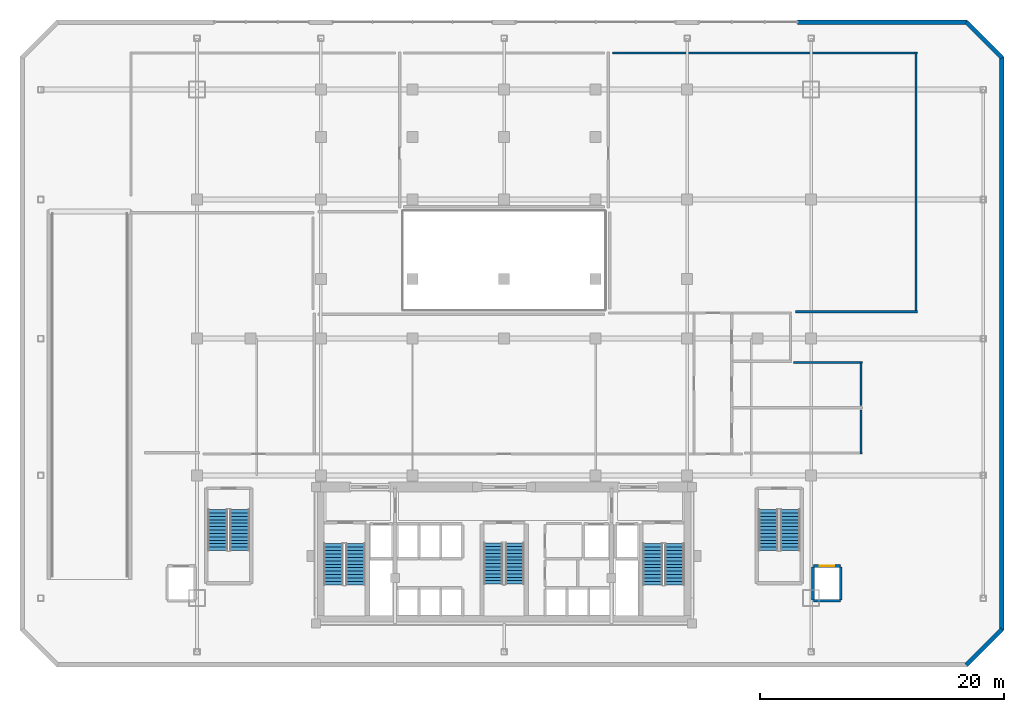
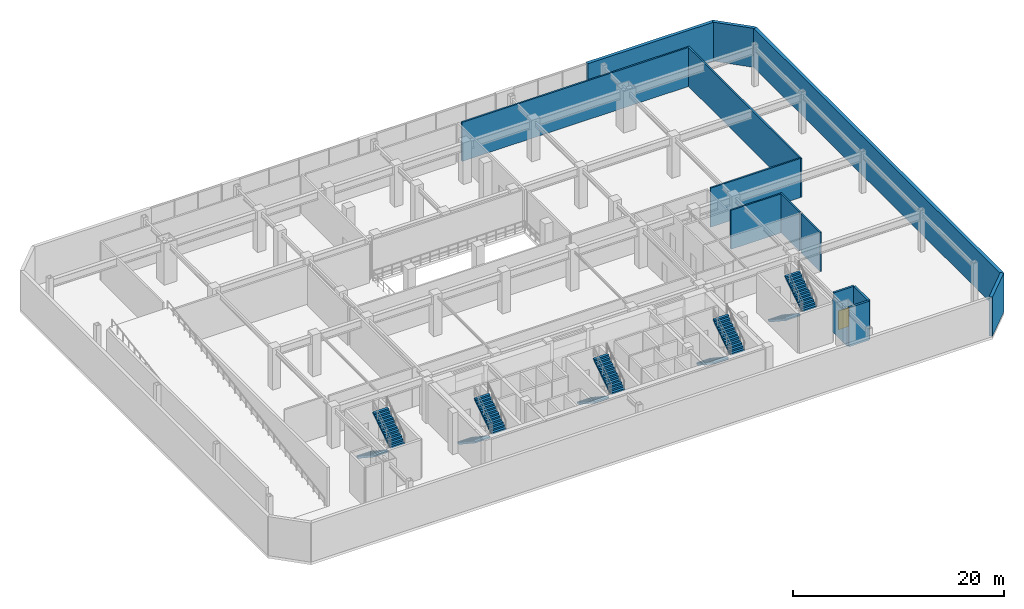
# One storey, part 14 of 16: 14 walls, 10 stair flights, 1 door, 1 opening, 5 elements without a shape of their own.
"""IFC4 building model written with IfcOpenShell, lengths in metres."""

from ifc_helpers import new_model, si_unit, direction, frame, frame_2d, origin, place, context, subcontext, project, spatial, polyline, rectangle, outline, extrude, material, layer, layer_set, type_object, element, fill, aggregate, save


model = new_model("IFC4")

# Units and contexts
model_context = context("Model", 3, precision=1e-05, world=origin(), true_north=direction((0.0, 1.0)))
body_context = subcontext(model_context, "Body", "Model", "MODEL_VIEW")
ifc_project = project(units=[si_unit("LENGTHUNIT", "METRE"), si_unit("AREAUNIT", "SQUARE_METRE"), si_unit("VOLUMEUNIT", "CUBIC_METRE"), si_unit("PLANEANGLEUNIT", "RADIAN"), si_unit("MASSUNIT", "GRAM", prefix="KILO")], contexts=[model_context])

# Site, building, storey
site_placement = place(None, origin())
site = spatial("IfcSite", under=ifc_project, at=site_placement, CompositionType="ELEMENT")
building_placement = place(site_placement, origin())
building = spatial("IfcBuilding", under=site, at=building_placement, Name="Ventersveld Concourse Tower", CompositionType="ELEMENT")
storey_placement = place(building_placement, frame((0.0, 0.0, 10.199951171875)))
storey = spatial("IfcBuildingStorey", under=building, at=storey_placement, Name="L02", CompositionType="ELEMENT", Elevation=10.199951171875)

# Walls
ifc_material_1 = material(Name="Fire-rated autoclaved aerated masonry blockwork", Category="masonry")
ifc_layer_1 = layer(ifc_material_1, 0.179931640625)
ifc_layer_set_1 = layer_set([ifc_layer_1], Name="Fire-rated autoclaved aerated masonry blockwork")
wall_type_1 = type_object("IfcWallType", Name="WL-CORR-180", PredefinedType="PARTITIONING", material=ifc_layer_set_1)
wall_1_placement = place(storey_placement, frame((52.607421875, 25.800048828125, 0.0), z_axis=(0.0, 0.0, 1.0), x_axis=(1.0, 0.0, 0.0)))
element("IfcWall", 1, at=wall_1_placement, inside=storey, type_object=wall_type_1, Name="L02 Room Enclosure Wall SP-L02-OFF3", PredefinedType="PARTITIONING", context=body_context, shape_type="SweptSolid", body=[
    extrude(rectangle(XDim=9.987548828125, YDim=0.179931640625, at=frame_2d((4.99365234375, 0.0))), origin(), (0.0, 0.0, 1.0), 4.52001953125),
])
wall_2_placement = place(storey_placement, frame((62.5, 25.705078125, 0.0), z_axis=(0.0, 0.0, 1.0), x_axis=(0.0, 1.0, 0.0)))
element("IfcWall", 2, at=wall_2_placement, inside=storey, type_object=wall_type_1, Name="L02 Room Enclosure Wall SP-L02-OFF3", PredefinedType="PARTITIONING", context=body_context, shape_type="SweptSolid", body=[
    extrude(rectangle(XDim=21.389892578125, YDim=0.179931640625, at=frame_2d((10.69482421875, 0.0))), origin(), (0.0, 0.0, 1.0), 4.52001953125),
])
wall_3_placement = place(storey_placement, frame((62.594970703125, 47.0, 0.0), z_axis=(0.0, 0.0, 1.0), x_axis=(-1.0, 0.0, 0.0)))
element("IfcWall", 3, at=wall_3_placement, inside=storey, type_object=wall_type_1, Name="L02 Room Enclosure Wall SP-L02-OFF3", PredefinedType="PARTITIONING", context=body_context, shape_type="SweptSolid", body=[
    extrude(rectangle(XDim=24.969970703125, YDim=0.179931640625, at=frame_2d((12.48486328125, 0.0))), origin(), (0.0, 0.0, 1.0), 4.52001953125),
])
ifc_layer_2 = layer(ifc_material_1, 0.219970703125)
ifc_layer_set_2 = layer_set([ifc_layer_2], Name="Fire-rated autoclaved aerated masonry blockwork")
wall_type_2 = type_object("IfcWallType", Name="WL-HOIST-220", PredefinedType="SOLIDWALL", material=ifc_layer_set_2)
wall_4_placement = place(storey_placement, frame((54.10009765625, 2.139892578125, 0.0), z_axis=(0.0, 0.0, 1.0), x_axis=(1.0, 0.0, 0.0)))
element("IfcWall", 4, at=wall_4_placement, inside=storey, type_object=wall_type_2, Name="L02 Lift Hoistway Back Wall SL-02", PredefinedType="SOLIDWALL", context=body_context, shape_type="SweptSolid", body=[
    extrude(rectangle(XDim=2.199951171875, YDim=0.219970703125, at=frame_2d((1.10009765625, 0.0))), origin(), (0.0, 0.0, 1.0), 4.52001953125),
])
wall_5_placement = place(storey_placement, frame((54.06005859375, 2.199951171875, 0.0), z_axis=(0.0, 0.0, 1.0), x_axis=(0.0, 1.0, 0.0)))
element("IfcWall", 5, at=wall_5_placement, inside=storey, type_object=wall_type_2, Name="L02 Lift Hoistway Side Wall SL-02W", PredefinedType="SOLIDWALL", context=body_context, shape_type="SweptSolid", body=[
    extrude(rectangle(XDim=2.699951171875, YDim=0.219970703125, at=frame_2d((1.35009765625, 0.0))), origin(), (0.0, 0.0, 1.0), 3.987060546875),
])
wall_6_placement = place(storey_placement, frame((56.340087890625, 2.199951171875, 0.0), z_axis=(0.0, 0.0, 1.0), x_axis=(0.0, 1.0, 0.0)))
element("IfcWall", 6, at=wall_6_placement, inside=storey, type_object=wall_type_2, Name="L02 Lift Hoistway Side Wall SL-02E", PredefinedType="SOLIDWALL", context=body_context, shape_type="SweptSolid", body=[
    extrude(rectangle(XDim=2.699951171875, YDim=0.219970703125, at=frame_2d((1.35009765625, 0.0))), origin(), (0.0, 0.0, 1.0), 4.52001953125),
])

# Wall, opening, door
wall_7_placement = place(storey_placement, frame((54.080078125, 4.97998046875, 0.0), z_axis=(0.0, 0.0, 1.0), x_axis=(1.0, 0.0, 0.0)))
wall_7 = element("IfcWall", 7, at=wall_7_placement, inside=storey, type_object=wall_type_2, Name="L02 Lift Hoistway Front Wall SL-02", PredefinedType="SOLIDWALL", context=body_context, shape_type="SweptSolid", body=[
    extrude(rectangle(XDim=2.239990234375, YDim=0.219970703125, at=frame_2d((1.1201171875, 0.0))), origin(), (0.0, 0.0, 1.0), 4.52001953125),
])
opening_placement = place(wall_7_placement, frame((0.530029296875, 0.0, 0.0)))
opening = element("IfcOpeningElement", 8, at=opening_placement, cuts=wall_7, Name="Opening LD2", PredefinedType="OPENING", context=body_context, shape_type="SweptSolid", body=[
    extrude(rectangle(XDim=1.179931640625, YDim=2.199951171875, at=frame_2d((0.58984375, 1.10009765625))), frame((0.0, 0.1201171875, 0.0), z_axis=(0.0, -1.0, 0.0), x_axis=(1.0, 0.0, 0.0)), (0.0, 0.0, 1.0), 0.239990234375),
])
ifc_material_2 = material(Name="Brushed stainless steel 316", Category="steel")
door_type = type_object("IfcDoorType", Name="LD-PAX-118", OperationType="SLIDING_TO_LEFT", PredefinedType="DOOR", material=ifc_material_2)
door_placement = place(opening_placement, origin())
door = element("IfcDoor", 9, at=door_placement, inside=storey, type_object=door_type, Name="L02 Lift landing door SL-02 (LD-L02-SL-02)", OperationType="SLIDING_TO_RIGHT", OverallHeight=2.199951171875, OverallWidth=1.179931640625, PredefinedType="DOOR", context=body_context, shape_type="SweptSolid", body=[
    extrude(rectangle(XDim=1.179931640625, YDim=2.199951171875, at=frame_2d((0.58984375, 1.10009765625))), frame((0.0, 0.02490234375, 0.0), z_axis=(0.0, -1.0, 0.0), x_axis=(1.0, 0.0, 0.0)), (0.0, 0.0, 1.0), 0.050048828125),
])
fill(opening, door)

# Walls
ifc_material_3 = material(Name="Precast concrete C45/55", Category="concrete")
ifc_layer_3 = layer(ifc_material_3, 0.35009765625)
ifc_layer_set_3 = layer_set([ifc_layer_3], Name="Precast concrete C45/55")
wall_type_3 = type_object("IfcWallType", Name="WL-PREC-350", PredefinedType="SOLIDWALL", material=ifc_layer_set_3)
wall_8_placement = place(storey_placement, frame((66.60107421875, -3.144287109375, 0.0), z_axis=(0.0, 0.0, 1.0), x_axis=(0.707106781187, 0.707106781187, 0.0)))
element("IfcWall", 10, at=wall_8_placement, inside=storey, type_object=wall_type_3, Name="L02 Podium Precast Perimeter Wall 02", PredefinedType="SOLIDWALL", context=body_context, shape_type="SweptSolid", body=[
    extrude(rectangle(XDim=4.16259765625, YDim=0.35009765625, at=frame_2d((2.081298828125, 0.0))), origin(), (0.0, 0.0, 1.0), 4.52001953125),
])
wall_9_placement = place(storey_placement, frame((69.52001953125, -0.260009765625, 0.0), z_axis=(0.0, 0.0, 1.0), x_axis=(0.0, 1.0, 0.0)))
element("IfcWall", 11, at=wall_9_placement, inside=storey, type_object=wall_type_3, Name="L02 Podium Precast Perimeter Wall 03", PredefinedType="SOLIDWALL", context=body_context, shape_type="SweptSolid", body=[
    extrude(rectangle(XDim=46.919921875, YDim=0.35009765625, at=frame_2d((23.4599609375, 0.0))), origin(), (0.0, 0.0, 1.0), 4.52001953125),
])
wall_10_placement = place(storey_placement, frame((69.54443359375, 46.60107421875, 0.0), z_axis=(0.0, 0.0, 1.0), x_axis=(-0.707106781187, 0.707106781187, 0.0)))
element("IfcWall", 12, at=wall_10_placement, inside=storey, type_object=wall_type_3, Name="L02 Podium Precast Perimeter Wall 04", PredefinedType="SOLIDWALL", context=body_context, shape_type="SweptSolid", body=[
    extrude(rectangle(XDim=4.16259765625, YDim=0.35009765625, at=frame_2d((2.081298828125, 0.0))), origin(), (0.0, 0.0, 1.0), 4.52001953125),
])
wall_11_placement = place(storey_placement, frame((52.800048828125, 49.52001953125, 0.0), z_axis=(0.0, 0.0, 1.0), x_axis=(1.0, 0.0, 0.0)))
element("IfcWall", 13, at=wall_11_placement, inside=storey, type_object=wall_type_3, Name="L02 North Precast Pier NE", PredefinedType="SOLIDWALL", context=body_context, shape_type="SweptSolid", body=[
    extrude(rectangle(XDim=13.85986328125, YDim=0.35009765625, at=frame_2d((6.929931640625, 0.0))), origin(), (0.0, 0.0, 1.0), 4.52001953125),
])
ifc_material_4 = material(Name="Autoclaved aerated masonry blockwork", Category="masonry")
ifc_layer_4 = layer(ifc_material_4, 0.1650390625)
ifc_layer_set_4 = layer_set([ifc_layer_4], Name="Autoclaved aerated masonry blockwork")
wall_type_4 = type_object("IfcWallType", Name="WL-WET-165", PredefinedType="PLUMBINGWALL", material=ifc_layer_set_4)
wall_12_placement = place(storey_placement, frame((58.0, 14.155029296875, 0.0), z_axis=(0.0, 0.0, 1.0), x_axis=(0.0, 1.0, 0.0)))
element("IfcWall", 14, at=wall_12_placement, inside=storey, type_object=wall_type_4, Name="L02 Room Enclosure Wall SP-L02-MWC", PredefinedType="PLUMBINGWALL", context=body_context, shape_type="SweptSolid", body=[
    extrude(rectangle(XDim=3.619873046875, YDim=0.1650390625, at=frame_2d((1.81005859375, 0.0))), origin(), (0.0, 0.0, 1.0), 4.52001953125),
])
wall_13_placement = place(storey_placement, frame((58.0, 18.10498046875, 0.0), z_axis=(0.0, 0.0, 1.0), x_axis=(0.0, 1.0, 0.0)))
element("IfcWall", 15, at=wall_13_placement, inside=storey, type_object=wall_type_4, Name="L02 Room Enclosure Wall SP-L02-FWC", PredefinedType="PLUMBINGWALL", context=body_context, shape_type="SweptSolid", body=[
    extrude(rectangle(XDim=3.64013671875, YDim=0.1650390625, at=frame_2d((1.820068359375, 0.0))), origin(), (0.0, 0.0, 1.0), 4.52001953125),
])
wall_14_placement = place(storey_placement, frame((58.094970703125, 21.64990234375, 0.0), z_axis=(0.0, 0.0, 1.0), x_axis=(-1.0, 0.0, 0.0)))
element("IfcWall", 16, at=wall_14_placement, inside=storey, type_object=wall_type_4, Name="L02 Room Enclosure Wall SP-L02-FWC", PredefinedType="PLUMBINGWALL", context=body_context, shape_type="SweptSolid", body=[
    extrude(rectangle(XDim=5.6513671875, YDim=0.1650390625, at=frame_2d((2.82568359375, 0.0))), origin(), (0.0, 0.0, 1.0), 4.52001953125),
])

# Stair, stair flights
ifc_material_5 = material(Name="Concrete C50/60", Category="concrete")
stair_type_1 = type_object("IfcStairType", Name="ST-DOG-155", PredefinedType="HALF_TURN_STAIR", material=ifc_material_5)
stair_1_placement = place(storey_placement, origin())
stair_1 = element("IfcStair", 17, at=stair_1_placement, inside=storey, type_object=stair_type_1, Name="L02 Protected Central Core Escape Stair ST-03", PredefinedType="HALF_TURN_STAIR")
stair_flight_type_1 = type_object("IfcStairFlightType", Name="STF-RC-155", PredefinedType="STRAIGHT", material=ifc_material_5)
stair_flight_1_placement = place(storey_placement, frame((27.875, 6.85009765625, 0.0), z_axis=(0.0, 0.0, 1.0), x_axis=(0.0, -1.0, 0.0)))
stair_flight_1 = element("IfcStairFlight", 18, at=stair_flight_1_placement, type_object=stair_flight_type_1, Name="ST-03 flight 1", NumberOfRisers=13, NumberOfTreads=12, PredefinedType="STRAIGHT", RiserHeight=0.184615385, TreadLength=0.28, context=body_context, shape_type="SweptSolid", body=[
    extrude(outline(polyline([(0.0, 0.0), (0.0, 0.1845703125), (0.280029296875, 0.1845703125), (0.280029296875, 0.369140625), (0.56005859375, 0.369140625), (0.56005859375, 0.553955078125), (0.840087890625, 0.553955078125), (0.840087890625, 0.738525390625), (1.1201171875, 0.738525390625), (1.1201171875, 0.923095703125), (1.39990234375, 0.923095703125), (1.39990234375, 1.107666015625), (1.679931640625, 1.107666015625), (1.679931640625, 1.292236328125), (1.9599609375, 1.292236328125), (1.9599609375, 1.476806640625), (2.239990234375, 1.476806640625), (2.239990234375, 1.66162109375), (2.52001953125, 1.66162109375), (2.52001953125, 1.84619140625), (2.800048828125, 1.84619140625), (2.800048828125, 2.03076171875), (3.080078125, 2.03076171875), (3.080078125, 2.21533203125), (3.360107421875, 2.21533203125), (3.360107421875, 2.39990234375), (3.360107421875, 2.035888671875), (0.272216796875, 0.0), (0.0, 0.0)])), frame((0.0, 0.77490234375, 0.0), z_axis=(0.0, -1.0, 0.0), x_axis=(1.0, 0.0, 0.0)), (0.0, 0.0, 1.0), 1.550048828125),
])
stair_flight_2_placement = place(storey_placement, frame((29.625, 3.489990234375, 2.400146484375), z_axis=(0.0, 0.0, 1.0), x_axis=(0.0, 1.0, 0.0)))
stair_flight_2 = element("IfcStairFlight", 19, at=stair_flight_2_placement, type_object=stair_flight_type_1, Name="ST-03 flight 2", NumberOfRisers=13, NumberOfTreads=12, PredefinedType="STRAIGHT", RiserHeight=0.184615385, TreadLength=0.28, context=body_context, shape_type="SweptSolid", body=[
    extrude(outline(polyline([(0.0, 0.0), (0.0, 0.1845703125), (0.280029296875, 0.1845703125), (0.280029296875, 0.369140625), (0.56005859375, 0.369140625), (0.56005859375, 0.553955078125), (0.840087890625, 0.553955078125), (0.840087890625, 0.738525390625), (1.1201171875, 0.738525390625), (1.1201171875, 0.923095703125), (1.39990234375, 0.923095703125), (1.39990234375, 1.107666015625), (1.679931640625, 1.107666015625), (1.679931640625, 1.292236328125), (1.9599609375, 1.292236328125), (1.9599609375, 1.476806640625), (2.239990234375, 1.476806640625), (2.239990234375, 1.66162109375), (2.52001953125, 1.66162109375), (2.52001953125, 1.84619140625), (2.800048828125, 1.84619140625), (2.800048828125, 2.03076171875), (3.080078125, 2.03076171875), (3.080078125, 2.21533203125), (3.360107421875, 2.21533203125), (3.360107421875, 2.39990234375), (3.360107421875, 2.035888671875), (0.272216796875, 0.0), (0.0, 0.0)])), frame((0.0, 0.77490234375, 0.0), z_axis=(0.0, -1.0, 0.0), x_axis=(1.0, 0.0, 0.0)), (0.0, 0.0, 1.0), 1.550048828125),
])
aggregate(stair_1, [stair_flight_1, stair_flight_2])

stair_type_2 = type_object("IfcStairType", Name="ST-DOG-160", PredefinedType="HALF_TURN_STAIR", material=ifc_material_5)
stair_2_placement = place(storey_placement, origin())
stair_2 = element("IfcStair", 20, at=stair_2_placement, inside=storey, type_object=stair_type_2, Name="L02 Protected Tower Escape Stair ST-01", PredefinedType="HALF_TURN_STAIR")
stair_flight_type_2 = type_object("IfcStairFlightType", Name="STF-RC-160", PredefinedType="STRAIGHT", material=ifc_material_5)
stair_flight_3_placement = place(storey_placement, frame((14.780029296875, 6.800048828125, 0.0), z_axis=(0.0, 0.0, 1.0), x_axis=(0.0, -1.0, 0.0)))
stair_flight_3 = element("IfcStairFlight", 21, at=stair_flight_3_placement, type_object=stair_flight_type_2, Name="ST-01 flight 1", NumberOfRisers=13, NumberOfTreads=12, PredefinedType="STRAIGHT", RiserHeight=0.184615385, TreadLength=0.28, context=body_context, shape_type="SweptSolid", body=[
    extrude(outline(polyline([(0.0, 0.0), (0.0, 0.1845703125), (0.280029296875, 0.1845703125), (0.280029296875, 0.369140625), (0.56005859375, 0.369140625), (0.56005859375, 0.553955078125), (0.840087890625, 0.553955078125), (0.840087890625, 0.738525390625), (1.1201171875, 0.738525390625), (1.1201171875, 0.923095703125), (1.39990234375, 0.923095703125), (1.39990234375, 1.107666015625), (1.679931640625, 1.107666015625), (1.679931640625, 1.292236328125), (1.9599609375, 1.292236328125), (1.9599609375, 1.476806640625), (2.239990234375, 1.476806640625), (2.239990234375, 1.66162109375), (2.52001953125, 1.66162109375), (2.52001953125, 1.84619140625), (2.800048828125, 1.84619140625), (2.800048828125, 2.03076171875), (3.080078125, 2.03076171875), (3.080078125, 2.21533203125), (3.360107421875, 2.21533203125), (3.360107421875, 2.39990234375), (3.360107421875, 2.035888671875), (0.272216796875, 0.0), (0.0, 0.0)])), frame((0.0, 0.800048828125, 0.0), z_axis=(0.0, -1.0, 0.0), x_axis=(1.0, 0.0, 0.0)), (0.0, 0.0, 1.0), 1.60009765625),
])
stair_flight_4_placement = place(storey_placement, frame((16.580078125, 3.43994140625, 2.400146484375), z_axis=(0.0, 0.0, 1.0), x_axis=(0.0, 1.0, 0.0)))
stair_flight_4 = element("IfcStairFlight", 22, at=stair_flight_4_placement, type_object=stair_flight_type_2, Name="ST-01 flight 2", NumberOfRisers=13, NumberOfTreads=12, PredefinedType="STRAIGHT", RiserHeight=0.184615385, TreadLength=0.28, context=body_context, shape_type="SweptSolid", body=[
    extrude(outline(polyline([(0.0, 0.0), (0.0, 0.1845703125), (0.280029296875, 0.1845703125), (0.280029296875, 0.369140625), (0.56005859375, 0.369140625), (0.56005859375, 0.553955078125), (0.840087890625, 0.553955078125), (0.840087890625, 0.738525390625), (1.1201171875, 0.738525390625), (1.1201171875, 0.923095703125), (1.39990234375, 0.923095703125), (1.39990234375, 1.107666015625), (1.679931640625, 1.107666015625), (1.679931640625, 1.292236328125), (1.9599609375, 1.292236328125), (1.9599609375, 1.476806640625), (2.239990234375, 1.476806640625), (2.239990234375, 1.66162109375), (2.52001953125, 1.66162109375), (2.52001953125, 1.84619140625), (2.800048828125, 1.84619140625), (2.800048828125, 2.03076171875), (3.080078125, 2.03076171875), (3.080078125, 2.21533203125), (3.360107421875, 2.21533203125), (3.360107421875, 2.39990234375), (3.360107421875, 2.035888671875), (0.272216796875, 0.0), (0.0, 0.0)])), frame((0.0, 0.800048828125, 0.0), z_axis=(0.0, -1.0, 0.0), x_axis=(1.0, 0.0, 0.0)), (0.0, 0.0, 1.0), 1.60009765625),
])
aggregate(stair_2, [stair_flight_3, stair_flight_4])

stair_3_placement = place(storey_placement, origin())
stair_3 = element("IfcStair", 23, at=stair_3_placement, inside=storey, type_object=stair_type_2, Name="L02 Protected Tower Escape Stair ST-02", PredefinedType="HALF_TURN_STAIR")
stair_flight_5_placement = place(storey_placement, frame((40.919921875, 6.800048828125, 0.0), z_axis=(0.0, 0.0, 1.0), x_axis=(0.0, -1.0, 0.0)))
stair_flight_5 = element("IfcStairFlight", 24, at=stair_flight_5_placement, type_object=stair_flight_type_2, Name="ST-02 flight 1", NumberOfRisers=13, NumberOfTreads=12, PredefinedType="STRAIGHT", RiserHeight=0.184615385, TreadLength=0.28, context=body_context, shape_type="SweptSolid", body=[
    extrude(outline(polyline([(0.0, 0.0), (0.0, 0.1845703125), (0.280029296875, 0.1845703125), (0.280029296875, 0.369140625), (0.56005859375, 0.369140625), (0.56005859375, 0.553955078125), (0.840087890625, 0.553955078125), (0.840087890625, 0.738525390625), (1.1201171875, 0.738525390625), (1.1201171875, 0.923095703125), (1.39990234375, 0.923095703125), (1.39990234375, 1.107666015625), (1.679931640625, 1.107666015625), (1.679931640625, 1.292236328125), (1.9599609375, 1.292236328125), (1.9599609375, 1.476806640625), (2.239990234375, 1.476806640625), (2.239990234375, 1.66162109375), (2.52001953125, 1.66162109375), (2.52001953125, 1.84619140625), (2.800048828125, 1.84619140625), (2.800048828125, 2.03076171875), (3.080078125, 2.03076171875), (3.080078125, 2.21533203125), (3.360107421875, 2.21533203125), (3.360107421875, 2.39990234375), (3.360107421875, 2.035888671875), (0.272216796875, 0.0), (0.0, 0.0)])), frame((0.0, 0.800048828125, 0.0), z_axis=(0.0, -1.0, 0.0), x_axis=(1.0, 0.0, 0.0)), (0.0, 0.0, 1.0), 1.60009765625),
])
stair_flight_6_placement = place(storey_placement, frame((42.719970703125, 3.43994140625, 2.400146484375), z_axis=(0.0, 0.0, 1.0), x_axis=(0.0, 1.0, 0.0)))
stair_flight_6 = element("IfcStairFlight", 25, at=stair_flight_6_placement, type_object=stair_flight_type_2, Name="ST-02 flight 2", NumberOfRisers=13, NumberOfTreads=12, PredefinedType="STRAIGHT", RiserHeight=0.184615385, TreadLength=0.28, context=body_context, shape_type="SweptSolid", body=[
    extrude(outline(polyline([(0.0, 0.0), (0.0, 0.1845703125), (0.280029296875, 0.1845703125), (0.280029296875, 0.369140625), (0.56005859375, 0.369140625), (0.56005859375, 0.553955078125), (0.840087890625, 0.553955078125), (0.840087890625, 0.738525390625), (1.1201171875, 0.738525390625), (1.1201171875, 0.923095703125), (1.39990234375, 0.923095703125), (1.39990234375, 1.107666015625), (1.679931640625, 1.107666015625), (1.679931640625, 1.292236328125), (1.9599609375, 1.292236328125), (1.9599609375, 1.476806640625), (2.239990234375, 1.476806640625), (2.239990234375, 1.66162109375), (2.52001953125, 1.66162109375), (2.52001953125, 1.84619140625), (2.800048828125, 1.84619140625), (2.800048828125, 2.03076171875), (3.080078125, 2.03076171875), (3.080078125, 2.21533203125), (3.360107421875, 2.21533203125), (3.360107421875, 2.39990234375), (3.360107421875, 2.035888671875), (0.272216796875, 0.0), (0.0, 0.0)])), frame((0.0, 0.800048828125, 0.0), z_axis=(0.0, -1.0, 0.0), x_axis=(1.0, 0.0, 0.0)), (0.0, 0.0, 1.0), 1.60009765625),
])
aggregate(stair_3, [stair_flight_5, stair_flight_6])

stair_4_placement = place(storey_placement, origin())
stair_4 = element("IfcStair", 26, at=stair_4_placement, inside=storey, type_object=stair_type_2, Name="L02 Station Concourse West Escape Stair ST-04", PredefinedType="HALF_TURN_STAIR")
stair_flight_7_placement = place(storey_placement, frame((5.300048828125, 9.60009765625, 0.0), z_axis=(0.0, 0.0, 1.0), x_axis=(0.0, -1.0, 0.0)))
stair_flight_7 = element("IfcStairFlight", 27, at=stair_flight_7_placement, type_object=stair_flight_type_2, Name="ST-04 flight 1", NumberOfRisers=13, NumberOfTreads=12, PredefinedType="STRAIGHT", RiserHeight=0.184615385, TreadLength=0.28, context=body_context, shape_type="SweptSolid", body=[
    extrude(outline(polyline([(0.0, 0.0), (0.0, 0.1845703125), (0.280029296875, 0.1845703125), (0.280029296875, 0.369140625), (0.56005859375, 0.369140625), (0.56005859375, 0.553955078125), (0.840087890625, 0.553955078125), (0.840087890625, 0.738525390625), (1.1201171875, 0.738525390625), (1.1201171875, 0.923095703125), (1.39990234375, 0.923095703125), (1.39990234375, 1.107666015625), (1.679931640625, 1.107666015625), (1.679931640625, 1.292236328125), (1.9599609375, 1.292236328125), (1.9599609375, 1.476806640625), (2.239990234375, 1.476806640625), (2.239990234375, 1.66162109375), (2.52001953125, 1.66162109375), (2.52001953125, 1.84619140625), (2.800048828125, 1.84619140625), (2.800048828125, 2.03076171875), (3.080078125, 2.03076171875), (3.080078125, 2.21533203125), (3.360107421875, 2.21533203125), (3.360107421875, 2.39990234375), (3.360107421875, 2.035888671875), (0.272216796875, 0.0), (0.0, 0.0)])), frame((0.0, 0.800048828125, 0.0), z_axis=(0.0, -1.0, 0.0), x_axis=(1.0, 0.0, 0.0)), (0.0, 0.0, 1.0), 1.60009765625),
])
stair_flight_8_placement = place(storey_placement, frame((7.10009765625, 6.239990234375, 2.400146484375), z_axis=(0.0, 0.0, 1.0), x_axis=(0.0, 1.0, 0.0)))
stair_flight_8 = element("IfcStairFlight", 28, at=stair_flight_8_placement, type_object=stair_flight_type_2, Name="ST-04 flight 2", NumberOfRisers=13, NumberOfTreads=12, PredefinedType="STRAIGHT", RiserHeight=0.184615385, TreadLength=0.28, context=body_context, shape_type="SweptSolid", body=[
    extrude(outline(polyline([(0.0, 0.0), (0.0, 0.1845703125), (0.280029296875, 0.1845703125), (0.280029296875, 0.369140625), (0.56005859375, 0.369140625), (0.56005859375, 0.553955078125), (0.840087890625, 0.553955078125), (0.840087890625, 0.738525390625), (1.1201171875, 0.738525390625), (1.1201171875, 0.923095703125), (1.39990234375, 0.923095703125), (1.39990234375, 1.107666015625), (1.679931640625, 1.107666015625), (1.679931640625, 1.292236328125), (1.9599609375, 1.292236328125), (1.9599609375, 1.476806640625), (2.239990234375, 1.476806640625), (2.239990234375, 1.66162109375), (2.52001953125, 1.66162109375), (2.52001953125, 1.84619140625), (2.800048828125, 1.84619140625), (2.800048828125, 2.03076171875), (3.080078125, 2.03076171875), (3.080078125, 2.21533203125), (3.360107421875, 2.21533203125), (3.360107421875, 2.39990234375), (3.360107421875, 2.035888671875), (0.272216796875, 0.0), (0.0, 0.0)])), frame((0.0, 0.800048828125, 0.0), z_axis=(0.0, -1.0, 0.0), x_axis=(1.0, 0.0, 0.0)), (0.0, 0.0, 1.0), 1.60009765625),
])
aggregate(stair_4, [stair_flight_7, stair_flight_8])

stair_5_placement = place(storey_placement, origin())
stair_5 = element("IfcStair", 29, at=stair_5_placement, inside=storey, type_object=stair_type_2, Name="L02 Station Concourse East Escape Stair ST-05", PredefinedType="HALF_TURN_STAIR")
stair_flight_9_placement = place(storey_placement, frame((50.39990234375, 9.60009765625, 0.0), z_axis=(0.0, 0.0, 1.0), x_axis=(0.0, -1.0, 0.0)))
stair_flight_9 = element("IfcStairFlight", 30, at=stair_flight_9_placement, type_object=stair_flight_type_2, Name="ST-05 flight 1", NumberOfRisers=13, NumberOfTreads=12, PredefinedType="STRAIGHT", RiserHeight=0.184615385, TreadLength=0.28, context=body_context, shape_type="SweptSolid", body=[
    extrude(outline(polyline([(0.0, 0.0), (0.0, 0.1845703125), (0.280029296875, 0.1845703125), (0.280029296875, 0.369140625), (0.56005859375, 0.369140625), (0.56005859375, 0.553955078125), (0.840087890625, 0.553955078125), (0.840087890625, 0.738525390625), (1.1201171875, 0.738525390625), (1.1201171875, 0.923095703125), (1.39990234375, 0.923095703125), (1.39990234375, 1.107666015625), (1.679931640625, 1.107666015625), (1.679931640625, 1.292236328125), (1.9599609375, 1.292236328125), (1.9599609375, 1.476806640625), (2.239990234375, 1.476806640625), (2.239990234375, 1.66162109375), (2.52001953125, 1.66162109375), (2.52001953125, 1.84619140625), (2.800048828125, 1.84619140625), (2.800048828125, 2.03076171875), (3.080078125, 2.03076171875), (3.080078125, 2.21533203125), (3.360107421875, 2.21533203125), (3.360107421875, 2.39990234375), (3.360107421875, 2.035888671875), (0.272216796875, 0.0), (0.0, 0.0)])), frame((0.0, 0.800048828125, 0.0), z_axis=(0.0, -1.0, 0.0), x_axis=(1.0, 0.0, 0.0)), (0.0, 0.0, 1.0), 1.60009765625),
])
stair_flight_10_placement = place(storey_placement, frame((52.199951171875, 6.239990234375, 2.400146484375), z_axis=(0.0, 0.0, 1.0), x_axis=(0.0, 1.0, 0.0)))
stair_flight_10 = element("IfcStairFlight", 31, at=stair_flight_10_placement, type_object=stair_flight_type_2, Name="ST-05 flight 2", NumberOfRisers=13, NumberOfTreads=12, PredefinedType="STRAIGHT", RiserHeight=0.184615385, TreadLength=0.28, context=body_context, shape_type="SweptSolid", body=[
    extrude(outline(polyline([(0.0, 0.0), (0.0, 0.1845703125), (0.280029296875, 0.1845703125), (0.280029296875, 0.369140625), (0.56005859375, 0.369140625), (0.56005859375, 0.553955078125), (0.840087890625, 0.553955078125), (0.840087890625, 0.738525390625), (1.1201171875, 0.738525390625), (1.1201171875, 0.923095703125), (1.39990234375, 0.923095703125), (1.39990234375, 1.107666015625), (1.679931640625, 1.107666015625), (1.679931640625, 1.292236328125), (1.9599609375, 1.292236328125), (1.9599609375, 1.476806640625), (2.239990234375, 1.476806640625), (2.239990234375, 1.66162109375), (2.52001953125, 1.66162109375), (2.52001953125, 1.84619140625), (2.800048828125, 1.84619140625), (2.800048828125, 2.03076171875), (3.080078125, 2.03076171875), (3.080078125, 2.21533203125), (3.360107421875, 2.21533203125), (3.360107421875, 2.39990234375), (3.360107421875, 2.035888671875), (0.272216796875, 0.0), (0.0, 0.0)])), frame((0.0, 0.800048828125, 0.0), z_axis=(0.0, -1.0, 0.0), x_axis=(1.0, 0.0, 0.0)), (0.0, 0.0, 1.0), 1.60009765625),
])
aggregate(stair_5, [stair_flight_9, stair_flight_10])

save(model, "model.ifc")
